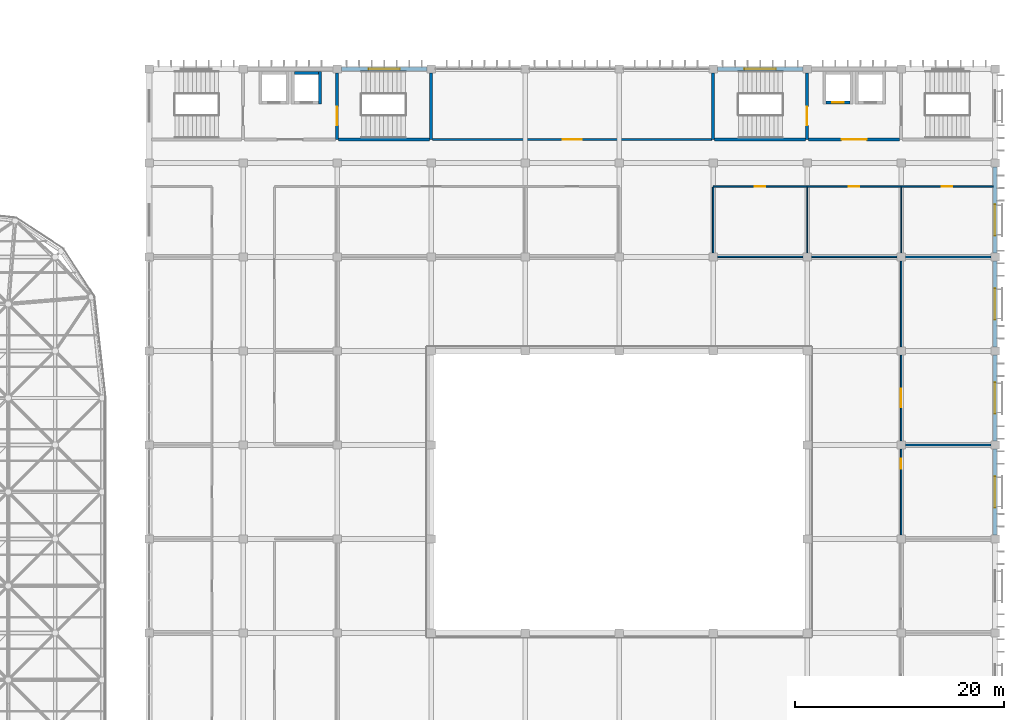
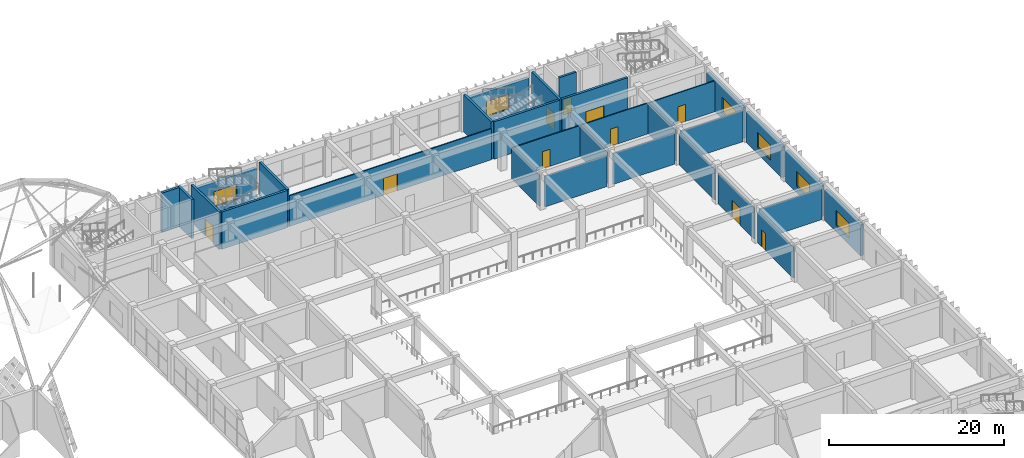
# One storey, part 280 of 437: 30 walls, 10 doors, 6 windows, 16 openings.
"""IFC4 building model written with IfcOpenShell, lengths in metres."""

from ifc_helpers import new_model, si_unit, direction, frame, frame_2d, origin, place, context, subcontext, project, spatial, rectangle, extrude, material, layer, layer_set, type_object, element, fill, save


model = new_model("IFC4")

# Units and contexts
model_context = context("Model", 3, precision=1e-05, world=origin(), true_north=direction((0.0, 1.0)))
body_context = subcontext(model_context, "Body", "Model", "MODEL_VIEW")
ifc_project = project(units=[si_unit("LENGTHUNIT", "METRE"), si_unit("AREAUNIT", "SQUARE_METRE"), si_unit("VOLUMEUNIT", "CUBIC_METRE"), si_unit("PLANEANGLEUNIT", "RADIAN"), si_unit("MASSUNIT", "GRAM", prefix="KILO")], contexts=[model_context])

# Site, building, storey
site_placement = place(None, origin())
site = spatial("IfcSite", under=ifc_project, at=site_placement, CompositionType="ELEMENT")
building_placement = place(site_placement, origin())
building = spatial("IfcBuilding", under=site, at=building_placement, Name="Opaline Strait Convention Centre", CompositionType="ELEMENT")
storey_placement = place(building_placement, frame((0.0, 0.0, 11.5)))
storey = spatial("IfcBuildingStorey", under=building, at=storey_placement, Name="L02", CompositionType="ELEMENT", Elevation=11.5)

# Walls
ifc_material_1 = material(Name="Gypsum board")
ifc_layer_1 = layer(ifc_material_1, 0.050048828125)
ifc_material_2 = material(Name="Steel stud and mineral wool", Category="steel")
ifc_layer_2 = layer(ifc_material_2, 0.10009765625)
ifc_layer_3 = layer(ifc_material_1, 0.050048828125)
ifc_layer_set_1 = layer_set([ifc_layer_1, ifc_layer_2, ifc_layer_3], Name="Gypsum board, Steel stud and mineral wool, Gypsum board")
wall_type_1 = type_object("IfcWallType", Name="Acoustic partition 200 EI45", PredefinedType="PARTITIONING", material=ifc_layer_set_1)
for number, where, z_axis, x_axis, name in (
    (1, (351.39990234375, 144.0, 0.0), (0.0, 0.0, 1.0), (1.0, 0.0, 0.0), "MPW5 partition Boardroom 2.25 N"),
    (2, (351.39990234375, 162.0, 0.0), (0.0, 0.0, 1.0), (1.0, 0.0, 0.0), "MPW5 partition Meeting Room 2.26 N"),
):
    element("IfcWall", number, at=place(storey_placement, frame(where, z_axis=z_axis, x_axis=x_axis)), inside=storey, type_object=wall_type_1, Name=name, PredefinedType="PARTITIONING", context=body_context, shape_type="SweptSolid", body=[
        extrude(rectangle(XDim=8.2001953125, YDim=0.199951171875, at=frame_2d((4.10009765625, 0.0))), origin(), (0.0, 0.0, 1.0), 4.320068359375),
    ])
ifc_layer_4 = layer(ifc_material_1, 0.032470703125)
ifc_layer_5 = layer(ifc_material_2, 0.0849609375)
ifc_layer_6 = layer(ifc_material_1, 0.032470703125)
ifc_layer_set_2 = layer_set([ifc_layer_4, ifc_layer_5, ifc_layer_6], Name="Gypsum board, Steel stud and mineral wool, Gypsum board")
wall_type_2 = type_object("IfcWallType", Name="Corridor partition 150 EI60", PredefinedType="PARTITIONING", material=ifc_layer_set_2)
wall_1_placement = place(storey_placement, frame((333.39990234375, 162.0, 0.0), z_axis=(0.0, 0.0, 1.0), x_axis=(1.0, 0.0, 0.0)))
element("IfcWall", 3, at=wall_1_placement, inside=storey, type_object=wall_type_2, Name="MPW1 partition Boardroom 2.21 S", PredefinedType="PARTITIONING", context=body_context, shape_type="SweptSolid", body=[
    extrude(rectangle(XDim=8.2001953125, YDim=0.14990234375, at=frame_2d((4.10009765625, 0.0))), origin(), (0.0, 0.0, 1.0), 4.320068359375),
])

# Wall, opening, door
wall_2_placement = place(storey_placement, frame((333.0, 168.75, 0.0), z_axis=(0.0, 0.0, 1.0), x_axis=(1.0, 0.0, 0.0)))
wall_2 = element("IfcWall", 4, at=wall_2_placement, inside=storey, type_object=wall_type_2, Name="MPW1 partition Boardroom 2.21 N", PredefinedType="PARTITIONING", context=body_context, shape_type="SweptSolid", body=[
    extrude(rectangle(XDim=9.0, YDim=0.14990234375, at=frame_2d((4.5, 0.0))), origin(), (0.0, 0.0, 1.0), 4.320068359375),
])
opening_1_placement = place(wall_2_placement, frame((4.0, 0.0, 0.0)))
opening_1 = element("IfcOpeningElement", 5, at=opening_1_placement, cuts=wall_2, Name="Opening M2-041", PredefinedType="OPENING", context=body_context, shape_type="SweptSolid", body=[
    extrude(rectangle(XDim=1.0, YDim=2.39990234375, at=frame_2d((0.5, 1.199951171875))), frame((0.0, 0.0849609375, 0.0), z_axis=(0.0, -1.0, 0.0), x_axis=(1.0, 0.0, 0.0)), (0.0, 0.0, 1.0), 0.169921875),
])
ifc_material_3 = material(Name="Solid-core timber leaf, steel frame door set", Category="steel")
door_type_1 = type_object("IfcDoorType", Name="Meeting room door FD30 1000 x 2400", OperationType="SINGLE_SWING_LEFT", PredefinedType="DOOR", material=ifc_material_3)
door_1_placement = place(opening_1_placement, origin())
door_1 = element("IfcDoor", 6, at=door_1_placement, inside=storey, type_object=door_type_1, Name="Door Boardroom 2.21", ObjectType="MD8", OperationType="SINGLE_SWING_LEFT", OverallHeight=2.39990234375, OverallWidth=1.0, PredefinedType="DOOR", context=body_context, shape_type="SweptSolid", body=[
    extrude(rectangle(XDim=1.0, YDim=2.39990234375, at=frame_2d((0.5, 1.199951171875))), frame((0.0, 0.02490234375, 0.0), z_axis=(0.0, -1.0, 0.0), x_axis=(1.0, 0.0, 0.0)), (0.0, 0.0, 1.0), 0.050048828125),
])
fill(opening_1, door_1)

# Walls
wall_3_placement = place(storey_placement, frame((333.0, 162.39990234375, 0.0), z_axis=(0.0, 0.0, 1.0), x_axis=(0.0, 1.0, 0.0)))
element("IfcWall", 7, at=wall_3_placement, inside=storey, type_object=wall_type_2, Name="MPW1 partition Boardroom 2.21 W", PredefinedType="PARTITIONING", context=body_context, shape_type="SweptSolid", body=[
    extrude(rectangle(XDim=6.275146484375, YDim=0.14990234375, at=frame_2d((3.1376953125, 0.0))), origin(), (0.0, 0.0, 1.0), 4.320068359375),
])
wall_4_placement = place(storey_placement, frame((342.39990234375, 162.0, 0.0), z_axis=(0.0, 0.0, 1.0), x_axis=(1.0, 0.0, 0.0)))
element("IfcWall", 8, at=wall_4_placement, inside=storey, type_object=wall_type_2, Name="MPW1 partition Medical Room 2.22 S", PredefinedType="PARTITIONING", context=body_context, shape_type="SweptSolid", body=[
    extrude(rectangle(XDim=8.2001953125, YDim=0.14990234375, at=frame_2d((4.10009765625, 0.0))), origin(), (0.0, 0.0, 1.0), 4.320068359375),
])

# Wall, opening, door
wall_5_placement = place(storey_placement, frame((342.0, 168.75, 0.0), z_axis=(0.0, 0.0, 1.0), x_axis=(1.0, 0.0, 0.0)))
wall_5 = element("IfcWall", 9, at=wall_5_placement, inside=storey, type_object=wall_type_2, Name="MPW1 partition Medical Room 2.22 N", PredefinedType="PARTITIONING", context=body_context, shape_type="SweptSolid", body=[
    extrude(rectangle(XDim=9.0, YDim=0.14990234375, at=frame_2d((4.5, 0.0))), origin(), (0.0, 0.0, 1.0), 4.320068359375),
])
opening_2_placement = place(wall_5_placement, frame((4.0, 0.0, 0.0)))
opening_2 = element("IfcOpeningElement", 10, at=opening_2_placement, cuts=wall_5, Name="Opening M2-042", PredefinedType="OPENING", context=body_context, shape_type="SweptSolid", body=[
    extrude(rectangle(XDim=1.0, YDim=2.39990234375, at=frame_2d((0.5, 1.199951171875))), frame((0.0, 0.0849609375, 0.0), z_axis=(0.0, -1.0, 0.0), x_axis=(1.0, 0.0, 0.0)), (0.0, 0.0, 1.0), 0.169921875),
])
door_2_placement = place(opening_2_placement, origin())
door_2 = element("IfcDoor", 11, at=door_2_placement, inside=storey, type_object=door_type_1, Name="Door Medical Room 2.22", ObjectType="MD8", OperationType="SINGLE_SWING_LEFT", OverallHeight=2.39990234375, OverallWidth=1.0, PredefinedType="DOOR", context=body_context, shape_type="SweptSolid", body=[
    extrude(rectangle(XDim=1.0, YDim=2.39990234375, at=frame_2d((0.5, 1.199951171875))), frame((0.0, 0.02490234375, 0.0), z_axis=(0.0, -1.0, 0.0), x_axis=(1.0, 0.0, 0.0)), (0.0, 0.0, 1.0), 0.050048828125),
])
fill(opening_2, door_2)

wall_6_placement = place(storey_placement, frame((351.0, 135.39990234375, 0.0), z_axis=(0.0, 0.0, 1.0), x_axis=(0.0, 1.0, 0.0)))
wall_6 = element("IfcWall", 12, at=wall_6_placement, inside=storey, type_object=wall_type_2, Name="MPW1 partition Boardroom 2.25 W", PredefinedType="PARTITIONING", context=body_context, shape_type="SweptSolid", body=[
    extrude(rectangle(XDim=8.2001953125, YDim=0.14990234375, at=frame_2d((4.10009765625, 0.0))), origin(), (0.0, 0.0, 1.0), 4.320068359375),
])
opening_3_placement = place(wall_6_placement, frame((6.30029296875, 0.0, 0.0)))
opening_3 = element("IfcOpeningElement", 13, at=opening_3_placement, cuts=wall_6, Name="Opening M2-045", PredefinedType="OPENING", context=body_context, shape_type="SweptSolid", body=[
    extrude(rectangle(XDim=1.0, YDim=2.39990234375, at=frame_2d((0.5, 1.199951171875))), frame((0.0, 0.0849609375, 0.0), z_axis=(0.0, -1.0, 0.0), x_axis=(1.0, 0.0, 0.0)), (0.0, 0.0, 1.0), 0.169921875),
])
door_3_placement = place(opening_3_placement, origin())
door_3 = element("IfcDoor", 14, at=door_3_placement, inside=storey, type_object=door_type_1, Name="Door Boardroom 2.25", ObjectType="MD8", OperationType="SINGLE_SWING_RIGHT", OverallHeight=2.39990234375, OverallWidth=1.0, PredefinedType="DOOR", context=body_context, shape_type="SweptSolid", body=[
    extrude(rectangle(XDim=1.0, YDim=2.39990234375, at=frame_2d((0.5, 1.199951171875))), frame((0.0, 0.02490234375, 0.0), z_axis=(0.0, -1.0, 0.0), x_axis=(1.0, 0.0, 0.0)), (0.0, 0.0, 1.0), 0.050048828125),
])
fill(opening_3, door_3)

wall_7_placement = place(storey_placement, frame((351.0, 144.39990234375, 0.0), z_axis=(0.0, 0.0, 1.0), x_axis=(0.0, 1.0, 0.0)))
wall_7 = element("IfcWall", 15, at=wall_7_placement, inside=storey, type_object=wall_type_2, Name="MPW1 partition Meeting Room 2.26 W", PredefinedType="PARTITIONING", context=body_context, shape_type="SweptSolid", body=[
    extrude(rectangle(XDim=8.2001953125, YDim=0.14990234375, at=frame_2d((4.10009765625, 0.0))), origin(), (0.0, 0.0, 1.0), 4.320068359375),
])
opening_4_placement = place(wall_7_placement, frame((3.2001953125, 0.0, 0.0)))
opening_4 = element("IfcOpeningElement", 16, at=opening_4_placement, cuts=wall_7, Name="Opening M2-046", PredefinedType="OPENING", context=body_context, shape_type="SweptSolid", body=[
    extrude(rectangle(XDim=1.800048828125, YDim=2.39990234375, at=frame_2d((0.89990234375, 1.199951171875))), frame((0.0, 0.0849609375, 0.0), z_axis=(0.0, -1.0, 0.0), x_axis=(1.0, 0.0, 0.0)), (0.0, 0.0, 1.0), 0.169921875),
])
door_type_2 = type_object("IfcDoorType", Name="Meeting room double door FD30 1800 x 2400", OperationType="DOUBLE_DOOR_SINGLE_SWING", PredefinedType="DOOR", material=ifc_material_3)
door_4_placement = place(opening_4_placement, origin())
door_4 = element("IfcDoor", 17, at=door_4_placement, inside=storey, type_object=door_type_2, Name="Door Meeting Room 2.26", ObjectType="MD7", OperationType="DOUBLE_DOOR_SINGLE_SWING", OverallHeight=2.39990234375, OverallWidth=1.800048828125, PredefinedType="DOOR", context=body_context, shape_type="SweptSolid", body=[
    extrude(rectangle(XDim=1.800048828125, YDim=2.39990234375, at=frame_2d((0.89990234375, 1.199951171875))), frame((0.0, 0.02490234375, 0.0), z_axis=(0.0, -1.0, 0.0), x_axis=(1.0, 0.0, 0.0)), (0.0, 0.0, 1.0), 0.050048828125),
])
fill(opening_4, door_4)

# Wall
wall_8_placement = place(storey_placement, frame((351.0, 153.39990234375, 0.0), z_axis=(0.0, 0.0, 1.0), x_axis=(0.0, 1.0, 0.0)))
element("IfcWall", 18, at=wall_8_placement, inside=storey, type_object=wall_type_2, Name="MPW1 partition Meeting Room 2.26 W", PredefinedType="PARTITIONING", context=body_context, shape_type="SweptSolid", body=[
    extrude(rectangle(XDim=8.2001953125, YDim=0.14990234375, at=frame_2d((4.10009765625, 0.0))), origin(), (0.0, 0.0, 1.0), 4.320068359375),
])

# Wall, opening, door
wall_9_placement = place(storey_placement, frame((351.0, 168.75, 0.0), z_axis=(0.0, 0.0, 1.0), x_axis=(1.0, 0.0, 0.0)))
wall_9 = element("IfcWall", 19, at=wall_9_placement, inside=storey, type_object=wall_type_2, Name="MPW1 partition Boardroom 2.28 N", PredefinedType="PARTITIONING", context=body_context, shape_type="SweptSolid", body=[
    extrude(rectangle(XDim=8.800048828125, YDim=0.14990234375, at=frame_2d((4.39990234375, 0.0))), origin(), (0.0, 0.0, 1.0), 4.320068359375),
])
opening_5_placement = place(wall_9_placement, frame((3.900146484375, 0.0, 0.0)))
opening_5 = element("IfcOpeningElement", 20, at=opening_5_placement, cuts=wall_9, Name="Opening M2-048", PredefinedType="OPENING", context=body_context, shape_type="SweptSolid", body=[
    extrude(rectangle(XDim=1.0, YDim=2.39990234375, at=frame_2d((0.5, 1.199951171875))), frame((0.0, 0.0849609375, 0.0), z_axis=(0.0, -1.0, 0.0), x_axis=(1.0, 0.0, 0.0)), (0.0, 0.0, 1.0), 0.169921875),
])
door_5_placement = place(opening_5_placement, origin())
door_5 = element("IfcDoor", 21, at=door_5_placement, inside=storey, type_object=door_type_1, Name="Door Boardroom 2.28", ObjectType="MD8", OperationType="SINGLE_SWING_RIGHT", OverallHeight=2.39990234375, OverallWidth=1.0, PredefinedType="DOOR", context=body_context, shape_type="SweptSolid", body=[
    extrude(rectangle(XDim=1.0, YDim=2.39990234375, at=frame_2d((0.5, 1.199951171875))), frame((0.0, 0.02490234375, 0.0), z_axis=(0.0, -1.0, 0.0), x_axis=(1.0, 0.0, 0.0)), (0.0, 0.0, 1.0), 0.050048828125),
])
fill(opening_5, door_5)

wall_10_placement = place(storey_placement, frame((306.14990234375, 173.25, 0.0), z_axis=(0.0, 0.0, 1.0), x_axis=(1.0, 0.0, 0.0)))
wall_10 = element("IfcWall", 22, at=wall_10_placement, inside=storey, type_object=wall_type_2, Name="MPW1 partition Organiser Office 2.29 S", PredefinedType="PARTITIONING", context=body_context, shape_type="SweptSolid", body=[
    extrude(rectangle(XDim=26.7001953125, YDim=0.14990234375, at=frame_2d((13.35009765625, 0.0))), origin(), (0.0, 0.0, 1.0), 4.320068359375),
])
opening_6_placement = place(wall_10_placement, frame((12.4501953125, 0.0, 0.0)))
opening_6 = element("IfcOpeningElement", 23, at=opening_6_placement, cuts=wall_10, Name="Opening M2-049", PredefinedType="OPENING", context=body_context, shape_type="SweptSolid", body=[
    extrude(rectangle(XDim=1.800048828125, YDim=2.39990234375, at=frame_2d((0.89990234375, 1.199951171875))), frame((0.0, 0.0849609375, 0.0), z_axis=(0.0, -1.0, 0.0), x_axis=(1.0, 0.0, 0.0)), (0.0, 0.0, 1.0), 0.169921875),
])
door_6_placement = place(opening_6_placement, frame((1.800048828125, 0.0, 0.0), z_axis=(0.0, 0.0, 1.0), x_axis=(-1.0, 0.0, 0.0)))
door_6 = element("IfcDoor", 24, at=door_6_placement, inside=storey, type_object=door_type_2, Name="Door Organiser Office 2.29", ObjectType="MD7", OperationType="DOUBLE_DOOR_SINGLE_SWING", OverallHeight=2.39990234375, OverallWidth=1.800048828125, PredefinedType="DOOR", context=body_context, shape_type="SweptSolid", body=[
    extrude(rectangle(XDim=1.800048828125, YDim=2.39990234375, at=frame_2d((0.89990234375, 1.199951171875))), frame((0.0, 0.02490234375, 0.0), z_axis=(0.0, -1.0, 0.0), x_axis=(1.0, 0.0, 0.0)), (0.0, 0.0, 1.0), 0.050048828125),
])
fill(opening_6, door_6)

# Wall, opening, window
ifc_material_4 = material(Name="Concrete C40 precast", Category="concrete")
ifc_layer_7 = layer(ifc_material_4, 0.10009765625)
ifc_material_5 = material(Name="Mineral wool insulation")
ifc_layer_8 = layer(ifc_material_5, 0.14990234375)
ifc_layer_9 = layer(ifc_material_4, 0.14990234375)
ifc_layer_set_3 = layer_set([ifc_layer_7, ifc_layer_8, ifc_layer_9], Name="Concrete C40 precast, Mineral wool insulation, Concrete C40 precast")
wall_type_3 = type_object("IfcWallType", Name="External wall 400 insulated precast EI60", PredefinedType="STANDARD", material=ifc_layer_set_3)
wall_11_placement = place(storey_placement, frame((297.39990234375, 180.0, 0.0), z_axis=(0.0, 0.0, 1.0), x_axis=(1.0, 0.0, 0.0)))
wall_11 = element("IfcWall", 25, at=wall_11_placement, inside=storey, type_object=wall_type_3, Name="External wall N L02 34/W", PredefinedType="STANDARD", context=body_context, shape_type="SweptSolid", body=[
    extrude(rectangle(XDim=8.2001953125, YDim=0.39990234375, at=frame_2d((4.10009765625, 0.0))), origin(), (0.0, 0.0, 1.0), 4.320068359375),
])
opening_7_placement = place(wall_11_placement, frame((2.60009765625, 0.0, 0.89990234375)))
opening_7 = element("IfcOpeningElement", 26, at=opening_7_placement, cuts=wall_11, Name="Opening MW2", PredefinedType="OPENING", context=body_context, shape_type="SweptSolid", body=[
    extrude(rectangle(XDim=3.0, YDim=2.10009765625, at=frame_2d((1.5, 1.050048828125))), frame((0.0, 0.2099609375, 0.0), z_axis=(0.0, -1.0, 0.0), x_axis=(1.0, 0.0, 0.0)), (0.0, 0.0, 1.0), 0.419921875),
])
ifc_material_6 = material(Name="Aluminium framed double glazing", Category="aluminium")
window_type = type_object("IfcWindowType", Name="Window 3000 x 2100", PartitioningType="TRIPLE_PANEL_VERTICAL", PredefinedType="WINDOW", material=ifc_material_6)
window_1_placement = place(opening_7_placement, origin())
window_1 = element("IfcWindow", 27, at=window_1_placement, inside=storey, type_object=window_type, Name="Window Escape Stair S6 N", OverallHeight=2.10009765625, OverallWidth=3.0, PartitioningType="TRIPLE_PANEL_VERTICAL", PredefinedType="WINDOW", context=body_context, shape_type="SweptSolid", body=[
    extrude(rectangle(XDim=3.0, YDim=2.10009765625, at=frame_2d((1.5, 1.050048828125))), frame((0.0, 0.030029296875, 0.0), z_axis=(0.0, -1.0, 0.0), x_axis=(1.0, 0.0, 0.0)), (0.0, 0.0, 1.0), 0.06005859375),
])
fill(opening_7, window_1)

wall_12_placement = place(storey_placement, frame((333.39990234375, 180.0, 0.0), z_axis=(0.0, 0.0, 1.0), x_axis=(1.0, 0.0, 0.0)))
wall_12 = element("IfcWall", 28, at=wall_12_placement, inside=storey, type_object=wall_type_3, Name="External wall N L02 38/W", PredefinedType="STANDARD", context=body_context, shape_type="SweptSolid", body=[
    extrude(rectangle(XDim=8.2001953125, YDim=0.39990234375, at=frame_2d((4.10009765625, 0.0))), origin(), (0.0, 0.0, 1.0), 4.320068359375),
])
opening_8_placement = place(wall_12_placement, frame((2.60009765625, 0.0, 0.89990234375)))
opening_8 = element("IfcOpeningElement", 29, at=opening_8_placement, cuts=wall_12, Name="Opening MW2", PredefinedType="OPENING", context=body_context, shape_type="SweptSolid", body=[
    extrude(rectangle(XDim=3.0, YDim=2.10009765625, at=frame_2d((1.5, 1.050048828125))), frame((0.0, 0.2099609375, 0.0), z_axis=(0.0, -1.0, 0.0), x_axis=(1.0, 0.0, 0.0)), (0.0, 0.0, 1.0), 0.419921875),
])
window_2_placement = place(opening_8_placement, origin())
window_2 = element("IfcWindow", 30, at=window_2_placement, inside=storey, type_object=window_type, Name="Window Escape Stair S8 N", OverallHeight=2.10009765625, OverallWidth=3.0, PartitioningType="TRIPLE_PANEL_VERTICAL", PredefinedType="WINDOW", context=body_context, shape_type="SweptSolid", body=[
    extrude(rectangle(XDim=3.0, YDim=2.10009765625, at=frame_2d((1.5, 1.050048828125))), frame((0.0, 0.030029296875, 0.0), z_axis=(0.0, -1.0, 0.0), x_axis=(1.0, 0.0, 0.0)), (0.0, 0.0, 1.0), 0.06005859375),
])
fill(opening_8, window_2)

wall_13_placement = place(storey_placement, frame((360.0, 135.39990234375, 0.0), z_axis=(0.0, 0.0, 1.0), x_axis=(0.0, 1.0, 0.0)))
wall_13 = element("IfcWall", 31, at=wall_13_placement, inside=storey, type_object=wall_type_3, Name="External wall E L02 41/R", PredefinedType="STANDARD", context=body_context, shape_type="SweptSolid", body=[
    extrude(rectangle(XDim=8.2001953125, YDim=0.39990234375, at=frame_2d((4.10009765625, 0.0))), origin(), (0.0, 0.0, 1.0), 4.320068359375),
])
opening_9_placement = place(wall_13_placement, frame((2.60009765625, 0.0, 0.89990234375)))
opening_9 = element("IfcOpeningElement", 32, at=opening_9_placement, cuts=wall_13, Name="Opening MW2", PredefinedType="OPENING", context=body_context, shape_type="SweptSolid", body=[
    extrude(rectangle(XDim=3.0, YDim=2.10009765625, at=frame_2d((1.5, 1.050048828125))), frame((0.0, 0.2099609375, 0.0), z_axis=(0.0, -1.0, 0.0), x_axis=(1.0, 0.0, 0.0)), (0.0, 0.0, 1.0), 0.419921875),
])
window_3_placement = place(opening_9_placement, origin())
window_3 = element("IfcWindow", 33, at=window_3_placement, inside=storey, type_object=window_type, Name="Window Boardroom 2.25 E", OverallHeight=2.10009765625, OverallWidth=3.0, PartitioningType="TRIPLE_PANEL_VERTICAL", PredefinedType="WINDOW", context=body_context, shape_type="SweptSolid", body=[
    extrude(rectangle(XDim=3.0, YDim=2.10009765625, at=frame_2d((1.5, 1.050048828125))), frame((0.0, 0.030029296875, 0.0), z_axis=(0.0, -1.0, 0.0), x_axis=(1.0, 0.0, 0.0)), (0.0, 0.0, 1.0), 0.06005859375),
])
fill(opening_9, window_3)

wall_14_placement = place(storey_placement, frame((360.0, 144.39990234375, 0.0), z_axis=(0.0, 0.0, 1.0), x_axis=(0.0, 1.0, 0.0)))
wall_14 = element("IfcWall", 34, at=wall_14_placement, inside=storey, type_object=wall_type_3, Name="External wall E L02 41/S", PredefinedType="STANDARD", context=body_context, shape_type="SweptSolid", body=[
    extrude(rectangle(XDim=8.2001953125, YDim=0.39990234375, at=frame_2d((4.10009765625, 0.0))), origin(), (0.0, 0.0, 1.0), 4.320068359375),
])
opening_10_placement = place(wall_14_placement, frame((2.60009765625, 0.0, 0.89990234375)))
opening_10 = element("IfcOpeningElement", 35, at=opening_10_placement, cuts=wall_14, Name="Opening MW2", PredefinedType="OPENING", context=body_context, shape_type="SweptSolid", body=[
    extrude(rectangle(XDim=3.0, YDim=2.10009765625, at=frame_2d((1.5, 1.050048828125))), frame((0.0, 0.2099609375, 0.0), z_axis=(0.0, -1.0, 0.0), x_axis=(1.0, 0.0, 0.0)), (0.0, 0.0, 1.0), 0.419921875),
])
window_4_placement = place(opening_10_placement, origin())
window_4 = element("IfcWindow", 36, at=window_4_placement, inside=storey, type_object=window_type, Name="Window Meeting Room 2.26 E", OverallHeight=2.10009765625, OverallWidth=3.0, PartitioningType="TRIPLE_PANEL_VERTICAL", PredefinedType="WINDOW", context=body_context, shape_type="SweptSolid", body=[
    extrude(rectangle(XDim=3.0, YDim=2.10009765625, at=frame_2d((1.5, 1.050048828125))), frame((0.0, 0.030029296875, 0.0), z_axis=(0.0, -1.0, 0.0), x_axis=(1.0, 0.0, 0.0)), (0.0, 0.0, 1.0), 0.06005859375),
])
fill(opening_10, window_4)

wall_15_placement = place(storey_placement, frame((360.0, 153.39990234375, 0.0), z_axis=(0.0, 0.0, 1.0), x_axis=(0.0, 1.0, 0.0)))
wall_15 = element("IfcWall", 37, at=wall_15_placement, inside=storey, type_object=wall_type_3, Name="External wall E L02 41/T", PredefinedType="STANDARD", context=body_context, shape_type="SweptSolid", body=[
    extrude(rectangle(XDim=8.2001953125, YDim=0.39990234375, at=frame_2d((4.10009765625, 0.0))), origin(), (0.0, 0.0, 1.0), 4.320068359375),
])
opening_11_placement = place(wall_15_placement, frame((2.60009765625, 0.0, 0.89990234375)))
opening_11 = element("IfcOpeningElement", 38, at=opening_11_placement, cuts=wall_15, Name="Opening MW2", PredefinedType="OPENING", context=body_context, shape_type="SweptSolid", body=[
    extrude(rectangle(XDim=3.0, YDim=2.10009765625, at=frame_2d((1.5, 1.050048828125))), frame((0.0, 0.2099609375, 0.0), z_axis=(0.0, -1.0, 0.0), x_axis=(1.0, 0.0, 0.0)), (0.0, 0.0, 1.0), 0.419921875),
])
window_5_placement = place(opening_11_placement, origin())
window_5 = element("IfcWindow", 39, at=window_5_placement, inside=storey, type_object=window_type, Name="Window Meeting Room 2.26 E", OverallHeight=2.10009765625, OverallWidth=3.0, PartitioningType="TRIPLE_PANEL_VERTICAL", PredefinedType="WINDOW", context=body_context, shape_type="SweptSolid", body=[
    extrude(rectangle(XDim=3.0, YDim=2.10009765625, at=frame_2d((1.5, 1.050048828125))), frame((0.0, 0.030029296875, 0.0), z_axis=(0.0, -1.0, 0.0), x_axis=(1.0, 0.0, 0.0)), (0.0, 0.0, 1.0), 0.06005859375),
])
fill(opening_11, window_5)

wall_16_placement = place(storey_placement, frame((360.0, 162.39990234375, 0.0), z_axis=(0.0, 0.0, 1.0), x_axis=(0.0, 1.0, 0.0)))
wall_16 = element("IfcWall", 40, at=wall_16_placement, inside=storey, type_object=wall_type_3, Name="External wall E L02 41/U", PredefinedType="STANDARD", context=body_context, shape_type="SweptSolid", body=[
    extrude(rectangle(XDim=8.2001953125, YDim=0.39990234375, at=frame_2d((4.10009765625, 0.0))), origin(), (0.0, 0.0, 1.0), 4.320068359375),
])
opening_12_placement = place(wall_16_placement, frame((1.6376953125, 0.0, 0.89990234375)))
opening_12 = element("IfcOpeningElement", 41, at=opening_12_placement, cuts=wall_16, Name="Opening MW2", PredefinedType="OPENING", context=body_context, shape_type="SweptSolid", body=[
    extrude(rectangle(XDim=3.0, YDim=2.10009765625, at=frame_2d((1.5, 1.050048828125))), frame((0.0, 0.2099609375, 0.0), z_axis=(0.0, -1.0, 0.0), x_axis=(1.0, 0.0, 0.0)), (0.0, 0.0, 1.0), 0.419921875),
])
window_6_placement = place(opening_12_placement, origin())
window_6 = element("IfcWindow", 42, at=window_6_placement, inside=storey, type_object=window_type, Name="Window Boardroom 2.28 E", OverallHeight=2.10009765625, OverallWidth=3.0, PartitioningType="TRIPLE_PANEL_VERTICAL", PredefinedType="WINDOW", context=body_context, shape_type="SweptSolid", body=[
    extrude(rectangle(XDim=3.0, YDim=2.10009765625, at=frame_2d((1.5, 1.050048828125))), frame((0.0, 0.030029296875, 0.0), z_axis=(0.0, -1.0, 0.0), x_axis=(1.0, 0.0, 0.0)), (0.0, 0.0, 1.0), 0.06005859375),
])
fill(opening_12, window_6)

# Wall, opening, door
ifc_material_7 = material(Name="Concrete C40", Category="concrete")
ifc_layer_10 = layer(ifc_material_7, 0.300048828125)
ifc_layer_set_4 = layer_set([ifc_layer_10], Name="Concrete C40")
wall_type_4 = type_object("IfcWallType", Name="RC core wall 300 C40", PredefinedType="SHEAR", material=ifc_layer_set_4)
wall_17_placement = place(storey_placement, frame((297.0, 173.25, 0.0), z_axis=(0.0, 0.0, 1.0), x_axis=(0.0, 1.0, 0.0)))
wall_17 = element("IfcWall", 43, at=wall_17_placement, inside=storey, type_object=wall_type_4, Name="Core wall NW-L02", PredefinedType="SHEAR", context=body_context, shape_type="SweptSolid", body=[
    extrude(rectangle(XDim=6.35009765625, YDim=0.300048828125, at=frame_2d((3.175048828125, 0.0))), origin(), (0.0, 0.0, 1.0), 5.219970703125),
])
opening_13_placement = place(wall_17_placement, frame((1.35009765625, 0.0, 0.0)))
opening_13 = element("IfcOpeningElement", 44, at=opening_13_placement, cuts=wall_17, Name="Opening M2-012", PredefinedType="OPENING", context=body_context, shape_type="SweptSolid", body=[
    extrude(rectangle(XDim=1.800048828125, YDim=2.39990234375, at=frame_2d((0.89990234375, 1.199951171875))), frame((0.0, 0.159912109375, 0.0), z_axis=(0.0, -1.0, 0.0), x_axis=(1.0, 0.0, 0.0)), (0.0, 0.0, 1.0), 0.320068359375),
])
ifc_material_8 = material(Name="Steel Q235B", Category="steel")
door_type_3 = type_object("IfcDoorType", Name="Stair door FD60 1800 x 2400", OperationType="DOUBLE_DOOR_SINGLE_SWING", PredefinedType="DOOR", material=ifc_material_8)
door_7_placement = place(opening_13_placement, origin())
door_7 = element("IfcDoor", 45, at=door_7_placement, inside=storey, type_object=door_type_3, Name="Escape stair S6 door L02", ObjectType="MD4", OperationType="DOUBLE_DOOR_SINGLE_SWING", OverallHeight=2.39990234375, OverallWidth=1.800048828125, PredefinedType="DOOR", context=body_context, shape_type="SweptSolid", body=[
    extrude(rectangle(XDim=1.800048828125, YDim=2.39990234375, at=frame_2d((0.89990234375, 1.199951171875))), frame((0.0, 0.02490234375, 0.0), z_axis=(0.0, -1.0, 0.0), x_axis=(1.0, 0.0, 0.0)), (0.0, 0.0, 1.0), 0.050048828125),
])
fill(opening_13, door_7)

# Walls
wall_18_placement = place(storey_placement, frame((306.0, 173.25, 0.0), z_axis=(0.0, 0.0, 1.0), x_axis=(0.0, 1.0, 0.0)))
element("IfcWall", 46, at=wall_18_placement, inside=storey, type_object=wall_type_4, Name="Core wall NW-L02", PredefinedType="SHEAR", context=body_context, shape_type="SweptSolid", body=[
    extrude(rectangle(XDim=6.35009765625, YDim=0.300048828125, at=frame_2d((3.175048828125, 0.0))), origin(), (0.0, 0.0, 1.0), 5.219970703125),
])
wall_19_placement = place(storey_placement, frame((297.14990234375, 173.25, 0.0), z_axis=(0.0, 0.0, 1.0), x_axis=(1.0, 0.0, 0.0)))
element("IfcWall", 47, at=wall_19_placement, inside=storey, type_object=wall_type_4, Name="Core wall NW-L02", PredefinedType="SHEAR", context=body_context, shape_type="SweptSolid", body=[
    extrude(rectangle(XDim=8.7001953125, YDim=0.300048828125, at=frame_2d((4.35009765625, 0.0))), origin(), (0.0, 0.0, 1.0), 5.219970703125),
])

# Wall, opening, door
wall_20_placement = place(storey_placement, frame((342.0, 173.25, 0.0), z_axis=(0.0, 0.0, 1.0), x_axis=(0.0, 1.0, 0.0)))
wall_20 = element("IfcWall", 48, at=wall_20_placement, inside=storey, type_object=wall_type_4, Name="Core wall NE-L02", PredefinedType="SHEAR", context=body_context, shape_type="SweptSolid", body=[
    extrude(rectangle(XDim=6.35009765625, YDim=0.300048828125, at=frame_2d((3.175048828125, 0.0))), origin(), (0.0, 0.0, 1.0), 5.219970703125),
])
opening_14_placement = place(wall_20_placement, frame((1.35009765625, 0.0, 0.0)))
opening_14 = element("IfcOpeningElement", 49, at=opening_14_placement, cuts=wall_20, Name="Opening M2-017", PredefinedType="OPENING", context=body_context, shape_type="SweptSolid", body=[
    extrude(rectangle(XDim=1.800048828125, YDim=2.39990234375, at=frame_2d((0.89990234375, 1.199951171875))), frame((0.0, 0.159912109375, 0.0), z_axis=(0.0, -1.0, 0.0), x_axis=(1.0, 0.0, 0.0)), (0.0, 0.0, 1.0), 0.320068359375),
])
door_8_placement = place(opening_14_placement, frame((1.800048828125, 0.0, 0.0), z_axis=(0.0, 0.0, 1.0), x_axis=(-1.0, 0.0, 0.0)))
door_8 = element("IfcDoor", 50, at=door_8_placement, inside=storey, type_object=door_type_3, Name="Escape stair S8 door L02", ObjectType="MD4", OperationType="DOUBLE_DOOR_SINGLE_SWING", OverallHeight=2.39990234375, OverallWidth=1.800048828125, PredefinedType="DOOR", context=body_context, shape_type="SweptSolid", body=[
    extrude(rectangle(XDim=1.800048828125, YDim=2.39990234375, at=frame_2d((0.89990234375, 1.199951171875))), frame((0.0, 0.02490234375, 0.0), z_axis=(0.0, -1.0, 0.0), x_axis=(1.0, 0.0, 0.0)), (0.0, 0.0, 1.0), 0.050048828125),
])
fill(opening_14, door_8)

# Walls
wall_21_placement = place(storey_placement, frame((333.0, 173.25, 0.0), z_axis=(0.0, 0.0, 1.0), x_axis=(0.0, 1.0, 0.0)))
element("IfcWall", 51, at=wall_21_placement, inside=storey, type_object=wall_type_4, Name="Core wall NE-L02", PredefinedType="SHEAR", context=body_context, shape_type="SweptSolid", body=[
    extrude(rectangle(XDim=6.35009765625, YDim=0.300048828125, at=frame_2d((3.175048828125, 0.0))), origin(), (0.0, 0.0, 1.0), 5.219970703125),
])
wall_22_placement = place(storey_placement, frame((333.14990234375, 173.25, 0.0), z_axis=(0.0, 0.0, 1.0), x_axis=(1.0, 0.0, 0.0)))
element("IfcWall", 52, at=wall_22_placement, inside=storey, type_object=wall_type_4, Name="Core wall NE-L02", PredefinedType="SHEAR", context=body_context, shape_type="SweptSolid", body=[
    extrude(rectangle(XDim=8.7001953125, YDim=0.300048828125, at=frame_2d((4.35009765625, 0.0))), origin(), (0.0, 0.0, 1.0), 5.219970703125),
])

# Wall, opening, door
wall_23_placement = place(storey_placement, frame((342.14990234375, 173.25, 0.0), z_axis=(0.0, 0.0, 1.0), x_axis=(1.0, 0.0, 0.0)))
wall_23 = element("IfcWall", 53, at=wall_23_placement, inside=storey, type_object=wall_type_4, Name="Core wall NE-L02", PredefinedType="SHEAR", context=body_context, shape_type="SweptSolid", body=[
    extrude(rectangle(XDim=8.7001953125, YDim=0.300048828125, at=frame_2d((4.35009765625, 0.0))), origin(), (0.0, 0.0, 1.0), 5.219970703125),
])
opening_15_placement = place(wall_23_placement, frame((3.150146484375, 0.0, 0.0)))
opening_15 = element("IfcOpeningElement", 54, at=opening_15_placement, cuts=wall_23, Name="Opening M2-018", PredefinedType="OPENING", context=body_context, shape_type="SweptSolid", body=[
    extrude(rectangle(XDim=2.39990234375, YDim=2.39990234375, at=frame_2d((1.199951171875, 1.199951171875))), frame((0.0, 0.159912109375, 0.0), z_axis=(0.0, -1.0, 0.0), x_axis=(1.0, 0.0, 0.0)), (0.0, 0.0, 1.0), 0.320068359375),
])
door_type_4 = type_object("IfcDoorType", Name="Lift lobby double door FD60 2400 x 2400", OperationType="DOUBLE_DOOR_SINGLE_SWING", PredefinedType="DOOR", material=ifc_material_8)
door_9_placement = place(opening_15_placement, frame((2.39990234375, 0.0, 0.0), z_axis=(0.0, 0.0, 1.0), x_axis=(-1.0, 0.0, 0.0)))
door_9 = element("IfcDoor", 55, at=door_9_placement, inside=storey, type_object=door_type_4, Name="Lift lobby NE door L02", ObjectType="MD5", OperationType="DOUBLE_DOOR_SINGLE_SWING", OverallHeight=2.39990234375, OverallWidth=2.39990234375, PredefinedType="DOOR", context=body_context, shape_type="SweptSolid", body=[
    extrude(rectangle(XDim=2.39990234375, YDim=2.39990234375, at=frame_2d((1.199951171875, 1.199951171875))), frame((0.0, 0.02490234375, 0.0), z_axis=(0.0, -1.0, 0.0), x_axis=(1.0, 0.0, 0.0)), (0.0, 0.0, 1.0), 0.050048828125),
])
fill(opening_15, door_9)

# Walls
ifc_layer_11 = layer(ifc_material_7, 0.300048828125)
ifc_layer_set_5 = layer_set([ifc_layer_11], Name="Concrete C40")
wall_type_5 = type_object("IfcWallType", Name="RC lift shaft wall 300 C40", PredefinedType="SHEAR", material=ifc_layer_set_5)
wall_24_placement = place(storey_placement, frame((295.35009765625, 176.64990234375, 0.0), z_axis=(0.0, 0.0, 1.0), x_axis=(0.0, 1.0, 0.0)))
element("IfcWall", 56, at=wall_24_placement, inside=storey, type_object=wall_type_5, Name="Lift shaft NW2 wall L02", PredefinedType="SHEAR", context=body_context, shape_type="SweptSolid", body=[
    extrude(rectangle(XDim=3.10009765625, YDim=0.300048828125, at=frame_2d((1.550048828125, 0.0))), origin(), (0.0, 0.0, 1.0), 5.5),
])
wall_25_placement = place(storey_placement, frame((292.89990234375, 179.60009765625, 0.0), z_axis=(0.0, 0.0, 1.0), x_axis=(1.0, 0.0, 0.0)))
element("IfcWall", 57, at=wall_25_placement, inside=storey, type_object=wall_type_5, Name="Lift shaft NW2 wall L02", PredefinedType="SHEAR", context=body_context, shape_type="SweptSolid", body=[
    extrude(rectangle(XDim=2.300048828125, YDim=0.300048828125, at=frame_2d((1.14990234375, 0.0))), origin(), (0.0, 0.0, 1.0), 5.5),
])

# Wall, opening, door
wall_26_placement = place(storey_placement, frame((343.800048828125, 176.800048828125, 0.0), z_axis=(0.0, 0.0, 1.0), x_axis=(1.0, 0.0, 0.0)))
wall_26 = element("IfcWall", 58, at=wall_26_placement, inside=storey, type_object=wall_type_5, Name="Lift shaft NE2 wall L02", PredefinedType="SHEAR", context=body_context, shape_type="SweptSolid", body=[
    extrude(rectangle(XDim=2.300048828125, YDim=0.300048828125, at=frame_2d((1.14990234375, 0.0))), origin(), (0.0, 0.0, 1.0), 5.5),
])
opening_16_placement = place(wall_26_placement, frame((0.599853515625, 0.0, 0.0)))
opening_16 = element("IfcOpeningElement", 59, at=opening_16_placement, cuts=wall_26, Name="Opening M2-020", PredefinedType="OPENING", context=body_context, shape_type="SweptSolid", body=[
    extrude(rectangle(XDim=1.10009765625, YDim=2.199951171875, at=frame_2d((0.550048828125, 1.10009765625))), frame((0.0, 0.159912109375, 0.0), z_axis=(0.0, -1.0, 0.0), x_axis=(1.0, 0.0, 0.0)), (0.0, 0.0, 1.0), 0.320068359375),
])
ifc_material_9 = material(Name="Stainless steel 304", Category="steel")
door_type_5 = type_object("IfcDoorType", Name="Lift landing door FD60 1100 x 2200", OperationType="SLIDING_TO_LEFT", PredefinedType="DOOR", material=ifc_material_9)
door_10_placement = place(opening_16_placement, origin())
door_10 = element("IfcDoor", 60, at=door_10_placement, inside=storey, type_object=door_type_5, Name="Lift landing door NE2 L02", ObjectType="MD6", OperationType="SLIDING_TO_RIGHT", OverallHeight=2.199951171875, OverallWidth=1.10009765625, PredefinedType="DOOR", context=body_context, shape_type="SweptSolid", body=[
    extrude(rectangle(XDim=1.10009765625, YDim=2.199951171875, at=frame_2d((0.550048828125, 1.10009765625))), frame((0.0, 0.02490234375, 0.0), z_axis=(0.0, -1.0, 0.0), x_axis=(1.0, 0.0, 0.0)), (0.0, 0.0, 1.0), 0.050048828125),
])
fill(opening_16, door_10)

# Walls
ifc_layer_12 = layer(ifc_material_1, 0.012451171875)
ifc_layer_13 = layer(ifc_material_2, 0.074951171875)
ifc_layer_14 = layer(ifc_material_1, 0.012451171875)
ifc_layer_set_6 = layer_set([ifc_layer_12, ifc_layer_13, ifc_layer_14], Name="Gypsum board, Steel stud and mineral wool, Gypsum board")
wall_type_6 = type_object("IfcWallType", Name="Room partition 100 EI45", PredefinedType="PARTITIONING", material=ifc_layer_set_6)
for number, where, z_axis, x_axis, name in (
    (61, (342.0, 162.39990234375, 0.0), (0.0, 0.0, 1.0), (0.0, 1.0, 0.0), "MPW2 partition Boardroom 2.21 E"),
    (62, (351.0, 162.39990234375, 0.0), (0.0, 0.0, 1.0), (0.0, 1.0, 0.0), "MPW2 partition Medical Room 2.22 E"),
):
    element("IfcWall", number, at=place(storey_placement, frame(where, z_axis=z_axis, x_axis=x_axis)), inside=storey, type_object=wall_type_6, Name=name, PredefinedType="PARTITIONING", context=body_context, shape_type="SweptSolid", body=[
        extrude(rectangle(XDim=6.275146484375, YDim=0.10009765625, at=frame_2d((3.1376953125, 0.0))), origin(), (0.0, 0.0, 1.0), 4.320068359375),
    ])

save(model, "model.ifc")
